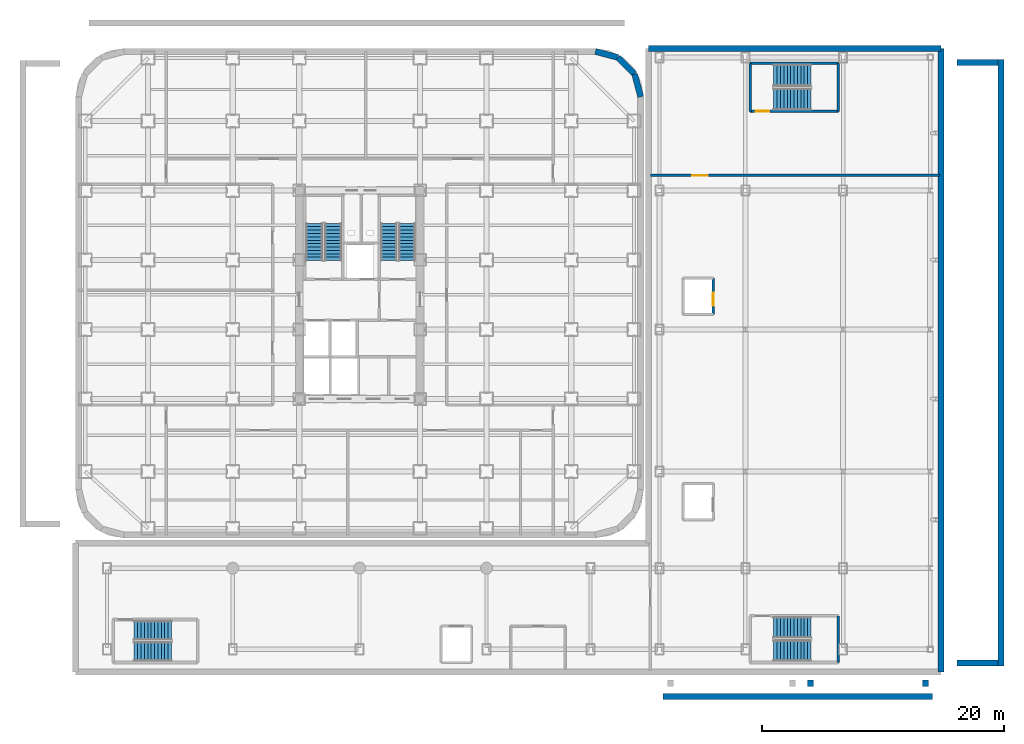
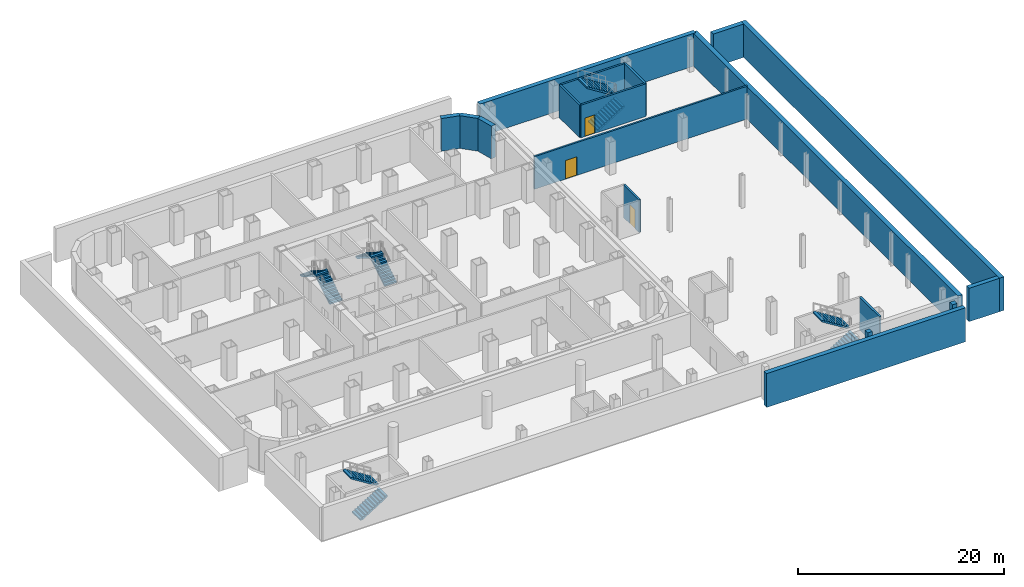
# One storey, part 10 of 16: 18 walls, 10 stair flights, 3 doors, 3 openings, 5 elements without a shape of their own.
"""IFC4 building model written with IfcOpenShell, lengths in metres."""

from ifc_helpers import new_model, si_unit, direction, frame, frame_2d, origin, place, context, subcontext, project, spatial, polyline, rectangle, outline, extrude, material, layer, layer_set, type_object, element, fill, aggregate, save


model = new_model("IFC4")

# Units and contexts
model_context = context("Model", 3, precision=1e-05, world=origin(), true_north=direction((0.0, 1.0)))
body_context = subcontext(model_context, "Body", "Model", "MODEL_VIEW")
ifc_project = project(units=[si_unit("LENGTHUNIT", "METRE"), si_unit("AREAUNIT", "SQUARE_METRE"), si_unit("VOLUMEUNIT", "CUBIC_METRE"), si_unit("PLANEANGLEUNIT", "RADIAN"), si_unit("MASSUNIT", "GRAM", prefix="KILO")], contexts=[model_context])

# Site, building, storey
site_placement = place(None, origin())
site = spatial("IfcSite", under=ifc_project, at=site_placement, CompositionType="ELEMENT")
building_placement = place(site_placement, origin())
building = spatial("IfcBuilding", under=site, at=building_placement, Name="Kolveth Station Tower", CompositionType="ELEMENT")
storey_placement = place(building_placement, frame((0.0, 0.0, -4.199951171875)))
storey = spatial("IfcBuildingStorey", under=building, at=storey_placement, Name="B1", CompositionType="ELEMENT", Elevation=-4.199951171875)

# Wall, opening, door
ifc_material_1 = material(Name="Acoustic fire-rated gypsum blockwork", Category="masonry")
ifc_layer_1 = layer(ifc_material_1, 0.199951171875)
ifc_layer_set_1 = layer_set([ifc_layer_1], Name="Acoustic fire-rated gypsum blockwork")
wall_type_1 = type_object("IfcWallType", Name="Wall_IW-200", PredefinedType="PARTITIONING", material=ifc_layer_set_1)
wall_1_placement = place(storey_placement, frame((52.75, 18.5, 0.0), z_axis=(0.0, 0.0, 1.0), x_axis=(0.0, 1.0, 0.0)))
wall_1 = element("IfcWall", 1, at=wall_1_placement, inside=storey, type_object=wall_type_1, Name="B1 Partition Wall WL-B1-SL2-E", PredefinedType="PARTITIONING", context=body_context, shape_type="SweptSolid", body=[
    extrude(rectangle(XDim=3.0, YDim=0.199951171875, at=frame_2d((1.5, 0.0))), origin(), (0.0, 0.0, 1.0), 3.8798828125),
])
opening_1_placement = place(wall_1_placement, frame((0.699951171875, 0.0, 0.0)))
opening_1 = element("IfcOpeningElement", 2, at=opening_1_placement, cuts=wall_1, Name="Opening LD1", PredefinedType="OPENING", context=body_context, shape_type="SweptSolid", body=[
    extrude(rectangle(XDim=1.10009765625, YDim=2.25, at=frame_2d((0.550048828125, 1.125))), frame((0.0, 0.10986328125, 0.0), z_axis=(0.0, -1.0, 0.0), x_axis=(1.0, 0.0, 0.0)), (0.0, 0.0, 1.0), 0.219970703125),
])
ifc_material_2 = material(Name="Brushed stainless steel sliding landing doors", Category="steel")
door_type_1 = type_object("IfcDoorType", Name="Door_LD1", OperationType="NOTDEFINED", PredefinedType="DOOR", material=ifc_material_2)
door_1_placement = place(opening_1_placement, origin())
door_1 = element("IfcDoor", 3, at=door_1_placement, inside=storey, type_object=door_type_1, Name="B1 Station Lift SL2 Landing Door", OperationType="DOUBLE_DOOR_SLIDING", OverallHeight=2.25, OverallWidth=1.10009765625, PredefinedType="DOOR", context=body_context, shape_type="SweptSolid", body=[
    extrude(rectangle(XDim=1.10009765625, YDim=2.25, at=frame_2d((0.550048828125, 1.125))), frame((0.0, 0.02490234375, 0.0), z_axis=(0.0, -1.0, 0.0), x_axis=(1.0, 0.0, 0.0)), (0.0, 0.0, 1.0), 0.050048828125),
])
fill(opening_1, door_1)

wall_2_placement = place(storey_placement, frame((47.550048828125, 30.0, 0.0), z_axis=(0.0, 0.0, 1.0), x_axis=(1.0, 0.0, 0.0)))
wall_2 = element("IfcWall", 4, at=wall_2_placement, inside=storey, type_object=wall_type_1, Name="B1 Partition Wall WL-B1-STN-DIV", PredefinedType="PARTITIONING", context=body_context, shape_type="SweptSolid", body=[
    extrude(rectangle(XDim=23.89990234375, YDim=0.199951171875, at=frame_2d((11.949951171875, 0.0))), origin(), (0.0, 0.0, 1.0), 3.8798828125),
])
opening_2_placement = place(wall_2_placement, frame((3.449951171875, 0.0, 0.0)))
opening_2 = element("IfcOpeningElement", 5, at=opening_2_placement, cuts=wall_2, Name="Opening ID3", PredefinedType="OPENING", context=body_context, shape_type="SweptSolid", body=[
    extrude(rectangle(XDim=1.300048828125, YDim=2.199951171875, at=frame_2d((0.64990234375, 1.10009765625))), frame((0.0, 0.10986328125, 0.0), z_axis=(0.0, -1.0, 0.0), x_axis=(1.0, 0.0, 0.0)), (0.0, 0.0, 1.0), 0.219970703125),
])
ifc_material_3 = material(Name="Glazed acoustic office double leaf")
door_type_2 = type_object("IfcDoorType", Name="Door_ID3", OperationType="NOTDEFINED", PredefinedType="DOOR", material=ifc_material_3)
door_2_placement = place(opening_2_placement, origin())
door_2 = element("IfcDoor", 6, at=door_2_placement, inside=storey, type_object=door_type_2, Name="B1 Station Concourse Gate", OperationType="DOUBLE_DOOR_SINGLE_SWING", OverallHeight=2.199951171875, OverallWidth=1.300048828125, PredefinedType="DOOR", context=body_context, shape_type="SweptSolid", body=[
    extrude(rectangle(XDim=1.300048828125, YDim=2.199951171875, at=frame_2d((0.64990234375, 1.10009765625))), frame((0.0, 0.02490234375, 0.0), z_axis=(0.0, -1.0, 0.0), x_axis=(1.0, 0.0, 0.0)), (0.0, 0.0, 1.0), 0.050048828125),
])
fill(opening_2, door_2)

ifc_material_4 = material(Name="Concrete C40/50", Category="concrete")
ifc_layer_2 = layer(ifc_material_4, 0.219970703125)
ifc_layer_set_2 = layer_set([ifc_layer_2], Name="Concrete C40/50")
wall_type_2 = type_object("IfcWallType", Name="Wall_IW-220", PredefinedType="SOLIDWALL", material=ifc_layer_set_2)
wall_3_placement = place(storey_placement, frame((55.800048828125, 35.300048828125, 0.0), z_axis=(0.0, 0.0, 1.0), x_axis=(1.0, 0.0, 0.0)))
wall_3 = element("IfcWall", 7, at=wall_3_placement, inside=storey, type_object=wall_type_2, Name="B1 Stair Shaft Wall WL-B1-ST3-S", PredefinedType="SOLIDWALL", context=body_context, shape_type="SweptSolid", body=[
    extrude(rectangle(XDim=7.300048828125, YDim=0.219970703125, at=frame_2d((3.64990234375, 0.0))), origin(), (0.0, 0.0, 1.0), 3.8798828125),
])
opening_3_placement = place(wall_3_placement, frame((0.449951171875, 0.0, 0.0)))
opening_3 = element("IfcOpeningElement", 8, at=opening_3_placement, cuts=wall_3, Name="Opening FD1", PredefinedType="OPENING", context=body_context, shape_type="SweptSolid", body=[
    extrude(rectangle(XDim=1.14990234375, YDim=2.199951171875, at=frame_2d((0.574951171875, 1.10009765625))), frame((0.0, 0.119873046875, 0.0), z_axis=(0.0, -1.0, 0.0), x_axis=(1.0, 0.0, 0.0)), (0.0, 0.0, 1.0), 0.239990234375),
])
ifc_material_5 = material(Name="Fire-rated Steel S355 leaf and frame", Category="steel")
door_type_3 = type_object("IfcDoorType", Name="Door_FD1", OperationType="NOTDEFINED", PredefinedType="DOOR", material=ifc_material_5)
door_3_placement = place(opening_3_placement, frame((1.14990234375, 0.0, 0.0), z_axis=(0.0, 0.0, 1.0), x_axis=(-1.0, 0.0, 0.0)))
door_3 = element("IfcDoor", 9, at=door_3_placement, inside=storey, type_object=door_type_3, Name="B1 Station Stair ST3 Door", OperationType="SINGLE_SWING_RIGHT", OverallHeight=2.199951171875, OverallWidth=1.14990234375, PredefinedType="DOOR", context=body_context, shape_type="SweptSolid", body=[
    extrude(rectangle(XDim=1.14990234375, YDim=2.199951171875, at=frame_2d((0.574951171875, 1.10009765625))), frame((0.0, 0.02490234375, 0.0), z_axis=(0.0, -1.0, 0.0), x_axis=(1.0, 0.0, 0.0)), (0.0, 0.0, 1.0), 0.050048828125),
])
fill(opening_3, door_3)

# Walls
wall_4_placement = place(storey_placement, frame((55.800048828125, 39.260009765625, 0.0), z_axis=(0.0, 0.0, 1.0), x_axis=(1.0, 0.0, 0.0)))
element("IfcWall", 10, at=wall_4_placement, inside=storey, type_object=wall_type_2, Name="B1 Stair Shaft Wall WL-B1-ST3-N", PredefinedType="SOLIDWALL", context=body_context, shape_type="SweptSolid", body=[
    extrude(rectangle(XDim=7.300048828125, YDim=0.219970703125, at=frame_2d((3.64990234375, 0.0))), origin(), (0.0, 0.0, 1.0), 3.8798828125),
])
for number, where, z_axis, x_axis, name in (
    (11, (55.800048828125, 35.300048828125, 0.0), (0.0, 0.0, 1.0), (0.0, 1.0, 0.0), "B1 Stair Shaft Wall WL-B1-ST3-W"),
    (12, (63.10009765625, 35.300048828125, 0.0), (0.0, 0.0, 1.0), (0.0, 1.0, 0.0), "B1 Stair Shaft Wall WL-B1-ST3-E"),
):
    element("IfcWall", number, at=place(storey_placement, frame(where, z_axis=z_axis, x_axis=x_axis)), inside=storey, type_object=wall_type_2, Name=name, PredefinedType="SOLIDWALL", context=body_context, shape_type="SweptSolid", body=[
        extrude(rectangle(XDim=3.9599609375, YDim=0.219970703125, at=frame_2d((1.97998046875, 0.0))), origin(), (0.0, 0.0, 1.0), 3.8798828125),
    ])
wall_5_placement = place(storey_placement, frame((63.10009765625, -10.300048828125, 0.0), z_axis=(0.0, 0.0, 1.0), x_axis=(0.0, 1.0, 0.0)))
element("IfcWall", 13, at=wall_5_placement, inside=storey, type_object=wall_type_2, Name="B1 Stair Shaft Wall WL-B1-ST4-E", PredefinedType="SOLIDWALL", context=body_context, shape_type="SweptSolid", body=[
    extrude(rectangle(XDim=3.860107421875, YDim=0.219970703125, at=frame_2d((1.93017578125, 0.0))), origin(), (0.0, 0.0, 1.0), 3.8798828125),
])
ifc_material_6 = material(Name="Concrete C50/60", Category="concrete")
ifc_layer_3 = layer(ifc_material_6, 0.5)
ifc_layer_set_3 = layer_set([ifc_layer_3], Name="Concrete C50/60")
wall_type_3 = type_object("IfcWallType", Name="Wall_RW-500", PredefinedType="USERDEFINED", material=ifc_layer_set_3)
for number, where, z_axis, x_axis, name in (
    (14, (46.75, 36.5, 0.0), (0.0, 0.0, 1.0), (-0.258836670666, 0.965921103361, 0.0), "B1 Tower Basement Retaining Wall 5"),
    (15, (46.24755859375, 38.375, 0.0), (0.0, 0.0, 1.0), (-0.707106781187, 0.707106781187, 0.0), "B1 Tower Basement Retaining Wall 6"),
    (16, (44.875, 39.74755859375, 0.0), (0.0, 0.0, 1.0), (-0.965921103361, 0.258836670666, 0.0), "B1 Tower Basement Retaining Wall 7"),
):
    element("IfcWall", number, at=place(storey_placement, frame(where, z_axis=z_axis, x_axis=x_axis)), inside=storey, type_object=wall_type_3, Name=name, ObjectType="RETAININGWALL", PredefinedType="USERDEFINED", context=body_context, shape_type="SweptSolid", body=[
        extrude(rectangle(XDim=1.941162109375, YDim=0.5, at=frame_2d((0.970703125, 0.0))), origin(), (0.0, 0.0, 1.0), 3.8798828125),
    ])
wall_6_placement = place(storey_placement, frame((71.60009765625, -11.10009765625, 0.0), z_axis=(0.0, 0.0, 1.0), x_axis=(0.0, 1.0, 0.0)))
element("IfcWall", 17, at=wall_6_placement, inside=storey, type_object=wall_type_3, Name="B1 Station Basement Retaining Wall 2", ObjectType="RETAININGWALL", PredefinedType="USERDEFINED", context=body_context, shape_type="SweptSolid", body=[
    extrude(rectangle(XDim=51.60009765625, YDim=0.5, at=frame_2d((25.800048828125, 0.0))), origin(), (0.0, 0.0, 1.0), 3.8798828125),
])
wall_7_placement = place(storey_placement, frame((71.60009765625, 40.5, 0.0), z_axis=(0.0, 0.0, 1.0), x_axis=(-1.0, 0.0, 0.0)))
element("IfcWall", 18, at=wall_7_placement, inside=storey, type_object=wall_type_3, Name="B1 Station Basement Retaining Wall 3", ObjectType="RETAININGWALL", PredefinedType="USERDEFINED", context=body_context, shape_type="SweptSolid", body=[
    extrude(rectangle(XDim=24.2001953125, YDim=0.5, at=frame_2d((12.10009765625, 0.0))), origin(), (0.0, 0.0, 1.0), 3.8798828125),
])
wall_8_placement = place(storey_placement, frame((76.550048828125, -10.60009765625, 0.0), z_axis=(0.0, 0.0, 1.0), x_axis=(0.0, 1.0, 0.0)))
element("IfcWall", 19, at=wall_8_placement, inside=storey, type_object=wall_type_3, Name="B1 Forecourt Retaining Wall 4", ObjectType="RETAININGWALL", PredefinedType="USERDEFINED", context=body_context, shape_type="SweptSolid", body=[
    extrude(rectangle(XDim=50.2001953125, YDim=0.5, at=frame_2d((25.10009765625, 0.0))), origin(), (0.0, 0.0, 1.0), 3.9599609375),
])
for number, where, z_axis, x_axis, name in (
    (20, (72.89990234375, -10.35009765625, 0.0), (0.0, 0.0, 1.0), (1.0, 0.0, 0.0), "B1 Forecourt Retaining Wall 5"),
    (21, (72.89990234375, 39.35009765625, 0.0), (0.0, 0.0, 1.0), (1.0, 0.0, 0.0), "B1 Forecourt Retaining Wall 6"),
):
    element("IfcWall", number, at=place(storey_placement, frame(where, z_axis=z_axis, x_axis=x_axis)), inside=storey, type_object=wall_type_3, Name=name, ObjectType="RETAININGWALL", PredefinedType="USERDEFINED", context=body_context, shape_type="SweptSolid", body=[
        extrude(rectangle(XDim=3.400146484375, YDim=0.5, at=frame_2d((1.7001953125, 0.0))), origin(), (0.0, 0.0, 1.0), 3.9599609375),
    ])
wall_9_placement = place(storey_placement, frame((48.60009765625, -13.10009765625, 0.0), z_axis=(0.0, 0.0, 1.0), x_axis=(1.0, 0.0, 0.0)))
element("IfcWall", 22, at=wall_9_placement, inside=storey, type_object=wall_type_3, Name="B1 Forecourt Retaining Wall 8", ObjectType="RETAININGWALL", PredefinedType="USERDEFINED", context=body_context, shape_type="SweptSolid", body=[
    extrude(rectangle(XDim=22.2998046875, YDim=0.5, at=frame_2d((11.14990234375, 0.0))), origin(), (0.0, 0.0, 1.0), 4.02001953125),
])
for number, where, z_axis, x_axis, name in (
    (23, (60.800048828125, -12.300048828125, 0.0), (0.0, 0.0, 1.0), (0.0, 1.0, 0.0), "B1 Forecourt Retaining Wall 11"),
    (24, (70.300048828125, -12.300048828125, 0.0), (0.0, 0.0, 1.0), (0.0, 1.0, 0.0), "B1 Forecourt Retaining Wall 12"),
):
    element("IfcWall", number, at=place(storey_placement, frame(where, z_axis=z_axis, x_axis=x_axis)), inside=storey, type_object=wall_type_3, Name=name, ObjectType="RETAININGWALL", PredefinedType="USERDEFINED", context=body_context, shape_type="SweptSolid", body=[
        extrude(rectangle(XDim=0.550048828125, YDim=0.5, at=frame_2d((0.27490234375, 0.0))), origin(), (0.0, 0.0, 1.0), 4.02001953125),
    ])

# Stair, stair flights
stair_type_1 = type_object("IfcStairType", Name="Stair_ST1", PredefinedType="HALF_TURN_STAIR", material=ifc_material_4)
stair_1_placement = place(storey_placement, origin())
stair_1 = element("IfcStair", 25, at=stair_1_placement, inside=storey, type_object=stair_type_1, Name="B1 Tower Exit Stair ST1", PredefinedType="HALF_TURN_STAIR")
ifc_layer_4 = layer(ifc_material_4, 0.179931640625)
ifc_layer_set_4 = layer_set([ifc_layer_4], Name="Concrete C40/50")
stair_flight_type_1 = type_object("IfcStairFlightType", Name="Flight_ST1", PredefinedType="STRAIGHT", material=ifc_layer_set_4)
stair_flight_1_placement = place(storey_placement, frame((21.300048828125, 22.949951171875, 0.0), z_axis=(0.0, 0.0, 1.0), x_axis=(0.0, 1.0, 0.0)))
stair_flight_1 = element("IfcStairFlight", 26, at=stair_flight_1_placement, type_object=stair_flight_type_1, Name="ST1 flight 1", NumberOfRisers=12, NumberOfTreads=11, PredefinedType="STRAIGHT", RiserHeight=0.175, TreadLength=0.28, context=body_context, shape_type="SweptSolid", body=[
    extrude(outline(polyline([(0.0, 0.0), (0.0, 0.175048828125), (0.280029296875, 0.175048828125), (0.280029296875, 0.35009765625), (0.56005859375, 0.35009765625), (0.56005859375, 0.52490234375), (0.840087890625, 0.52490234375), (0.840087890625, 0.699951171875), (1.1201171875, 0.699951171875), (1.1201171875, 0.875), (1.39990234375, 0.875), (1.39990234375, 1.050048828125), (1.679931640625, 1.050048828125), (1.679931640625, 1.22509765625), (1.9599609375, 1.22509765625), (1.9599609375, 1.39990234375), (2.239990234375, 1.39990234375), (2.239990234375, 1.574951171875), (2.52001953125, 1.574951171875), (2.52001953125, 1.75), (2.800048828125, 1.75), (2.800048828125, 1.925048828125), (3.080078125, 1.925048828125), (3.080078125, 2.10009765625), (3.080078125, 1.748291015625), (0.28271484375, 0.0), (0.0, 0.0)])), frame((0.0, 0.699951171875, 0.0), z_axis=(0.0, -1.0, 0.0), x_axis=(1.0, 0.0, 0.0)), (0.0, 0.0, 1.0), 1.39990234375),
])
stair_flight_2_placement = place(storey_placement, frame((19.739990234375, 26.030029296875, 2.099853515625), z_axis=(0.0, 0.0, 1.0), x_axis=(0.0, -1.0, 0.0)))
stair_flight_2 = element("IfcStairFlight", 27, at=stair_flight_2_placement, type_object=stair_flight_type_1, Name="ST1 flight 2", NumberOfRisers=12, NumberOfTreads=11, PredefinedType="STRAIGHT", RiserHeight=0.175, TreadLength=0.28, context=body_context, shape_type="SweptSolid", body=[
    extrude(outline(polyline([(0.0, 0.0), (0.0, 0.175048828125), (0.280029296875, 0.175048828125), (0.280029296875, 0.35009765625), (0.56005859375, 0.35009765625), (0.56005859375, 0.52490234375), (0.840087890625, 0.52490234375), (0.840087890625, 0.699951171875), (1.1201171875, 0.699951171875), (1.1201171875, 0.875), (1.39990234375, 0.875), (1.39990234375, 1.050048828125), (1.679931640625, 1.050048828125), (1.679931640625, 1.22509765625), (1.9599609375, 1.22509765625), (1.9599609375, 1.39990234375), (2.239990234375, 1.39990234375), (2.239990234375, 1.574951171875), (2.52001953125, 1.574951171875), (2.52001953125, 1.75), (2.800048828125, 1.75), (2.800048828125, 1.925048828125), (3.080078125, 1.925048828125), (3.080078125, 2.10009765625), (3.080078125, 1.748291015625), (0.28271484375, 0.0), (0.0, 0.0)])), frame((0.0, 0.699951171875, 0.0), z_axis=(0.0, -1.0, 0.0), x_axis=(1.0, 0.0, 0.0)), (0.0, 0.0, 1.0), 1.39990234375),
])
aggregate(stair_1, [stair_flight_1, stair_flight_2])

stair_type_2 = type_object("IfcStairType", Name="Stair_ST2", PredefinedType="HALF_TURN_STAIR", material=ifc_material_4)
stair_2_placement = place(storey_placement, origin())
stair_2 = element("IfcStair", 28, at=stair_2_placement, inside=storey, type_object=stair_type_2, Name="B1 Tower Exit Stair ST2", PredefinedType="HALF_TURN_STAIR")
ifc_layer_5 = layer(ifc_material_4, 0.179931640625)
ifc_layer_set_5 = layer_set([ifc_layer_5], Name="Concrete C40/50")
stair_flight_type_2 = type_object("IfcStairFlightType", Name="Flight_ST2", PredefinedType="STRAIGHT", material=ifc_layer_set_5)
stair_flight_3_placement = place(storey_placement, frame((27.425048828125, 22.949951171875, 0.0), z_axis=(0.0, 0.0, 1.0), x_axis=(0.0, 1.0, 0.0)))
stair_flight_3 = element("IfcStairFlight", 29, at=stair_flight_3_placement, type_object=stair_flight_type_2, Name="ST2 flight 1", NumberOfRisers=12, NumberOfTreads=11, PredefinedType="STRAIGHT", RiserHeight=0.175, TreadLength=0.28, context=body_context, shape_type="SweptSolid", body=[
    extrude(outline(polyline([(0.0, 0.0), (0.0, 0.175048828125), (0.280029296875, 0.175048828125), (0.280029296875, 0.35009765625), (0.56005859375, 0.35009765625), (0.56005859375, 0.52490234375), (0.840087890625, 0.52490234375), (0.840087890625, 0.699951171875), (1.1201171875, 0.699951171875), (1.1201171875, 0.875), (1.39990234375, 0.875), (1.39990234375, 1.050048828125), (1.679931640625, 1.050048828125), (1.679931640625, 1.22509765625), (1.9599609375, 1.22509765625), (1.9599609375, 1.39990234375), (2.239990234375, 1.39990234375), (2.239990234375, 1.574951171875), (2.52001953125, 1.574951171875), (2.52001953125, 1.75), (2.800048828125, 1.75), (2.800048828125, 1.925048828125), (3.080078125, 1.925048828125), (3.080078125, 2.10009765625), (3.080078125, 1.748291015625), (0.28271484375, 0.0), (0.0, 0.0)])), frame((0.0, 0.675048828125, 0.0), z_axis=(0.0, -1.0, 0.0), x_axis=(1.0, 0.0, 0.0)), (0.0, 0.0, 1.0), 1.35009765625),
])
stair_flight_4_placement = place(storey_placement, frame((25.9150390625, 26.030029296875, 2.099853515625), z_axis=(0.0, 0.0, 1.0), x_axis=(0.0, -1.0, 0.0)))
stair_flight_4 = element("IfcStairFlight", 30, at=stair_flight_4_placement, type_object=stair_flight_type_2, Name="ST2 flight 2", NumberOfRisers=12, NumberOfTreads=11, PredefinedType="STRAIGHT", RiserHeight=0.175, TreadLength=0.28, context=body_context, shape_type="SweptSolid", body=[
    extrude(outline(polyline([(0.0, 0.0), (0.0, 0.175048828125), (0.280029296875, 0.175048828125), (0.280029296875, 0.35009765625), (0.56005859375, 0.35009765625), (0.56005859375, 0.52490234375), (0.840087890625, 0.52490234375), (0.840087890625, 0.699951171875), (1.1201171875, 0.699951171875), (1.1201171875, 0.875), (1.39990234375, 0.875), (1.39990234375, 1.050048828125), (1.679931640625, 1.050048828125), (1.679931640625, 1.22509765625), (1.9599609375, 1.22509765625), (1.9599609375, 1.39990234375), (2.239990234375, 1.39990234375), (2.239990234375, 1.574951171875), (2.52001953125, 1.574951171875), (2.52001953125, 1.75), (2.800048828125, 1.75), (2.800048828125, 1.925048828125), (3.080078125, 1.925048828125), (3.080078125, 2.10009765625), (3.080078125, 1.748291015625), (0.28271484375, 0.0), (0.0, 0.0)])), frame((0.0, 0.675048828125, 0.0), z_axis=(0.0, -1.0, 0.0), x_axis=(1.0, 0.0, 0.0)), (0.0, 0.0, 1.0), 1.35009765625),
])
aggregate(stair_2, [stair_flight_3, stair_flight_4])

stair_type_3 = type_object("IfcStairType", Name="Stair_ST3", PredefinedType="HALF_TURN_STAIR", material=ifc_material_4)
stair_3_placement = place(storey_placement, origin())
stair_3 = element("IfcStair", 31, at=stair_3_placement, inside=storey, type_object=stair_type_3, Name="B1 Station North Exit Stair ST3", PredefinedType="HALF_TURN_STAIR")
ifc_layer_6 = layer(ifc_material_4, 0.179931640625)
ifc_layer_set_6 = layer_set([ifc_layer_6], Name="Concrete C40/50")
stair_flight_type_3 = type_object("IfcStairFlightType", Name="Flight_ST3", PredefinedType="STRAIGHT", material=ifc_layer_set_6)
stair_flight_5_placement = place(storey_placement, frame((57.75, 36.300048828125, 0.0), z_axis=(0.0, 0.0, 1.0), x_axis=(1.0, 0.0, 0.0)))
stair_flight_5 = element("IfcStairFlight", 32, at=stair_flight_5_placement, type_object=stair_flight_type_3, Name="ST3 flight 1", NumberOfRisers=12, NumberOfTreads=11, PredefinedType="STRAIGHT", RiserHeight=0.175, TreadLength=0.28, context=body_context, shape_type="SweptSolid", body=[
    extrude(outline(polyline([(0.0, 0.0), (0.0, 0.175048828125), (0.280029296875, 0.175048828125), (0.280029296875, 0.35009765625), (0.56005859375, 0.35009765625), (0.56005859375, 0.52490234375), (0.840087890625, 0.52490234375), (0.840087890625, 0.699951171875), (1.1201171875, 0.699951171875), (1.1201171875, 0.875), (1.39990234375, 0.875), (1.39990234375, 1.050048828125), (1.679931640625, 1.050048828125), (1.679931640625, 1.22509765625), (1.9599609375, 1.22509765625), (1.9599609375, 1.39990234375), (2.239990234375, 1.39990234375), (2.239990234375, 1.574951171875), (2.52001953125, 1.574951171875), (2.52001953125, 1.75), (2.800048828125, 1.75), (2.800048828125, 1.925048828125), (3.080078125, 1.925048828125), (3.080078125, 2.10009765625), (3.080078125, 1.748291015625), (0.28271484375, 0.0), (0.0, 0.0)])), frame((0.0, 0.89990234375, 0.0), z_axis=(0.0, -1.0, 0.0), x_axis=(1.0, 0.0, 0.0)), (0.0, 0.0, 1.0), 1.800048828125),
])
stair_flight_6_placement = place(storey_placement, frame((60.830078125, 38.260009765625, 2.099853515625), z_axis=(0.0, 0.0, 1.0), x_axis=(-1.0, 0.0, 0.0)))
stair_flight_6 = element("IfcStairFlight", 33, at=stair_flight_6_placement, type_object=stair_flight_type_3, Name="ST3 flight 2", NumberOfRisers=12, NumberOfTreads=11, PredefinedType="STRAIGHT", RiserHeight=0.175, TreadLength=0.28, context=body_context, shape_type="SweptSolid", body=[
    extrude(outline(polyline([(0.0, 0.0), (0.0, 0.175048828125), (0.280029296875, 0.175048828125), (0.280029296875, 0.35009765625), (0.56005859375, 0.35009765625), (0.56005859375, 0.52490234375), (0.840087890625, 0.52490234375), (0.840087890625, 0.699951171875), (1.1201171875, 0.699951171875), (1.1201171875, 0.875), (1.39990234375, 0.875), (1.39990234375, 1.050048828125), (1.679931640625, 1.050048828125), (1.679931640625, 1.22509765625), (1.9599609375, 1.22509765625), (1.9599609375, 1.39990234375), (2.239990234375, 1.39990234375), (2.239990234375, 1.574951171875), (2.52001953125, 1.574951171875), (2.52001953125, 1.75), (2.800048828125, 1.75), (2.800048828125, 1.925048828125), (3.080078125, 1.925048828125), (3.080078125, 2.10009765625), (3.080078125, 1.748291015625), (0.28271484375, 0.0), (0.0, 0.0)])), frame((0.0, 0.89990234375, 0.0), z_axis=(0.0, -1.0, 0.0), x_axis=(1.0, 0.0, 0.0)), (0.0, 0.0, 1.0), 1.800048828125),
])
aggregate(stair_3, [stair_flight_5, stair_flight_6])

stair_type_4 = type_object("IfcStairType", Name="Stair_ST4", PredefinedType="HALF_TURN_STAIR", material=ifc_material_4)
stair_4_placement = place(storey_placement, origin())
stair_4 = element("IfcStair", 34, at=stair_4_placement, inside=storey, type_object=stair_type_4, Name="B1 Station South-East Exit Stair ST4", PredefinedType="HALF_TURN_STAIR")
ifc_layer_7 = layer(ifc_material_4, 0.179931640625)
ifc_layer_set_7 = layer_set([ifc_layer_7], Name="Concrete C40/50")
stair_flight_type_4 = type_object("IfcStairFlightType", Name="Flight_ST4", PredefinedType="STRAIGHT", material=ifc_layer_set_7)
stair_flight_7_placement = place(storey_placement, frame((57.75, -9.324951171875, 0.0), z_axis=(0.0, 0.0, 1.0), x_axis=(1.0, 0.0, 0.0)))
stair_flight_7 = element("IfcStairFlight", 35, at=stair_flight_7_placement, type_object=stair_flight_type_4, Name="ST4 flight 1", NumberOfRisers=12, NumberOfTreads=11, PredefinedType="STRAIGHT", RiserHeight=0.175, TreadLength=0.28, context=body_context, shape_type="SweptSolid", body=[
    extrude(outline(polyline([(0.0, 0.0), (0.0, 0.175048828125), (0.280029296875, 0.175048828125), (0.280029296875, 0.35009765625), (0.56005859375, 0.35009765625), (0.56005859375, 0.52490234375), (0.840087890625, 0.52490234375), (0.840087890625, 0.699951171875), (1.1201171875, 0.699951171875), (1.1201171875, 0.875), (1.39990234375, 0.875), (1.39990234375, 1.050048828125), (1.679931640625, 1.050048828125), (1.679931640625, 1.22509765625), (1.9599609375, 1.22509765625), (1.9599609375, 1.39990234375), (2.239990234375, 1.39990234375), (2.239990234375, 1.574951171875), (2.52001953125, 1.574951171875), (2.52001953125, 1.75), (2.800048828125, 1.75), (2.800048828125, 1.925048828125), (3.080078125, 1.925048828125), (3.080078125, 2.10009765625), (3.080078125, 1.748291015625), (0.28271484375, 0.0), (0.0, 0.0)])), frame((0.0, 0.875, 0.0), z_axis=(0.0, -1.0, 0.0), x_axis=(1.0, 0.0, 0.0)), (0.0, 0.0, 1.0), 1.75),
])
stair_flight_8_placement = place(storey_placement, frame((60.830078125, -7.4150390625, 2.099853515625), z_axis=(0.0, 0.0, 1.0), x_axis=(-1.0, 0.0, 0.0)))
stair_flight_8 = element("IfcStairFlight", 36, at=stair_flight_8_placement, type_object=stair_flight_type_4, Name="ST4 flight 2", NumberOfRisers=12, NumberOfTreads=11, PredefinedType="STRAIGHT", RiserHeight=0.175, TreadLength=0.28, context=body_context, shape_type="SweptSolid", body=[
    extrude(outline(polyline([(0.0, 0.0), (0.0, 0.175048828125), (0.280029296875, 0.175048828125), (0.280029296875, 0.35009765625), (0.56005859375, 0.35009765625), (0.56005859375, 0.52490234375), (0.840087890625, 0.52490234375), (0.840087890625, 0.699951171875), (1.1201171875, 0.699951171875), (1.1201171875, 0.875), (1.39990234375, 0.875), (1.39990234375, 1.050048828125), (1.679931640625, 1.050048828125), (1.679931640625, 1.22509765625), (1.9599609375, 1.22509765625), (1.9599609375, 1.39990234375), (2.239990234375, 1.39990234375), (2.239990234375, 1.574951171875), (2.52001953125, 1.574951171875), (2.52001953125, 1.75), (2.800048828125, 1.75), (2.800048828125, 1.925048828125), (3.080078125, 1.925048828125), (3.080078125, 2.10009765625), (3.080078125, 1.748291015625), (0.28271484375, 0.0), (0.0, 0.0)])), frame((0.0, 0.875, 0.0), z_axis=(0.0, -1.0, 0.0), x_axis=(1.0, 0.0, 0.0)), (0.0, 0.0, 1.0), 1.75),
])
aggregate(stair_4, [stair_flight_7, stair_flight_8])

stair_type_5 = type_object("IfcStairType", Name="Stair_ST5", PredefinedType="HALF_TURN_STAIR", material=ifc_material_4)
stair_5_placement = place(storey_placement, origin())
stair_5 = element("IfcStair", 37, at=stair_5_placement, inside=storey, type_object=stair_type_5, Name="B1 Station West Concourse Stair ST5", PredefinedType="HALF_TURN_STAIR")
ifc_layer_8 = layer(ifc_material_4, 0.179931640625)
ifc_layer_set_8 = layer_set([ifc_layer_8], Name="Concrete C40/50")
stair_flight_type_5 = type_object("IfcStairFlightType", Name="Flight_ST5", PredefinedType="STRAIGHT", material=ifc_layer_set_8)
stair_flight_9_placement = place(storey_placement, frame((4.85009765625, -9.39990234375, 0.0), z_axis=(0.0, 0.0, 1.0), x_axis=(1.0, 0.0, 0.0)))
stair_flight_9 = element("IfcStairFlight", 38, at=stair_flight_9_placement, type_object=stair_flight_type_5, Name="ST5 flight 1", NumberOfRisers=12, NumberOfTreads=11, PredefinedType="STRAIGHT", RiserHeight=0.175, TreadLength=0.28, context=body_context, shape_type="SweptSolid", body=[
    extrude(outline(polyline([(0.0, 0.0), (0.0, 0.175048828125), (0.280029296875, 0.175048828125), (0.280029296875, 0.35009765625), (0.56005859375, 0.35009765625), (0.56005859375, 0.52490234375), (0.840087890625, 0.52490234375), (0.840087890625, 0.699951171875), (1.1201171875, 0.699951171875), (1.1201171875, 0.875), (1.39990234375, 0.875), (1.39990234375, 1.050048828125), (1.679931640625, 1.050048828125), (1.679931640625, 1.22509765625), (1.9599609375, 1.22509765625), (1.9599609375, 1.39990234375), (2.239990234375, 1.39990234375), (2.239990234375, 1.574951171875), (2.52001953125, 1.574951171875), (2.52001953125, 1.75), (2.800048828125, 1.75), (2.800048828125, 1.925048828125), (3.080078125, 1.925048828125), (3.080078125, 2.10009765625), (3.080078125, 1.748291015625), (0.28271484375, 0.0), (0.0, 0.0)])), frame((0.0, 0.800048828125, 0.0), z_axis=(0.0, -1.0, 0.0), x_axis=(1.0, 0.0, 0.0)), (0.0, 0.0, 1.0), 1.60009765625),
])
stair_flight_10_placement = place(storey_placement, frame((7.929931640625, -7.639892578125, 2.099853515625), z_axis=(0.0, 0.0, 1.0), x_axis=(-1.0, 0.0, 0.0)))
stair_flight_10 = element("IfcStairFlight", 39, at=stair_flight_10_placement, type_object=stair_flight_type_5, Name="ST5 flight 2", NumberOfRisers=12, NumberOfTreads=11, PredefinedType="STRAIGHT", RiserHeight=0.175, TreadLength=0.28, context=body_context, shape_type="SweptSolid", body=[
    extrude(outline(polyline([(0.0, 0.0), (0.0, 0.175048828125), (0.280029296875, 0.175048828125), (0.280029296875, 0.35009765625), (0.56005859375, 0.35009765625), (0.56005859375, 0.52490234375), (0.840087890625, 0.52490234375), (0.840087890625, 0.699951171875), (1.1201171875, 0.699951171875), (1.1201171875, 0.875), (1.39990234375, 0.875), (1.39990234375, 1.050048828125), (1.679931640625, 1.050048828125), (1.679931640625, 1.22509765625), (1.9599609375, 1.22509765625), (1.9599609375, 1.39990234375), (2.239990234375, 1.39990234375), (2.239990234375, 1.574951171875), (2.52001953125, 1.574951171875), (2.52001953125, 1.75), (2.800048828125, 1.75), (2.800048828125, 1.925048828125), (3.080078125, 1.925048828125), (3.080078125, 2.10009765625), (3.080078125, 1.748291015625), (0.28271484375, 0.0), (0.0, 0.0)])), frame((0.0, 0.800048828125, 0.0), z_axis=(0.0, -1.0, 0.0), x_axis=(1.0, 0.0, 0.0)), (0.0, 0.0, 1.0), 1.60009765625),
])
aggregate(stair_5, [stair_flight_9, stair_flight_10])

save(model, "model.ifc")
